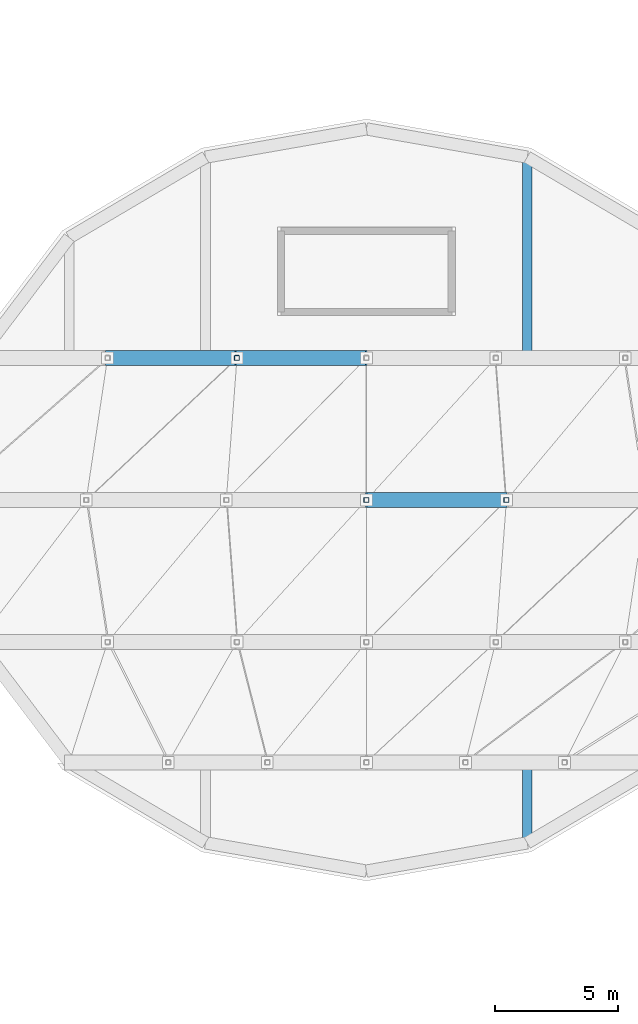
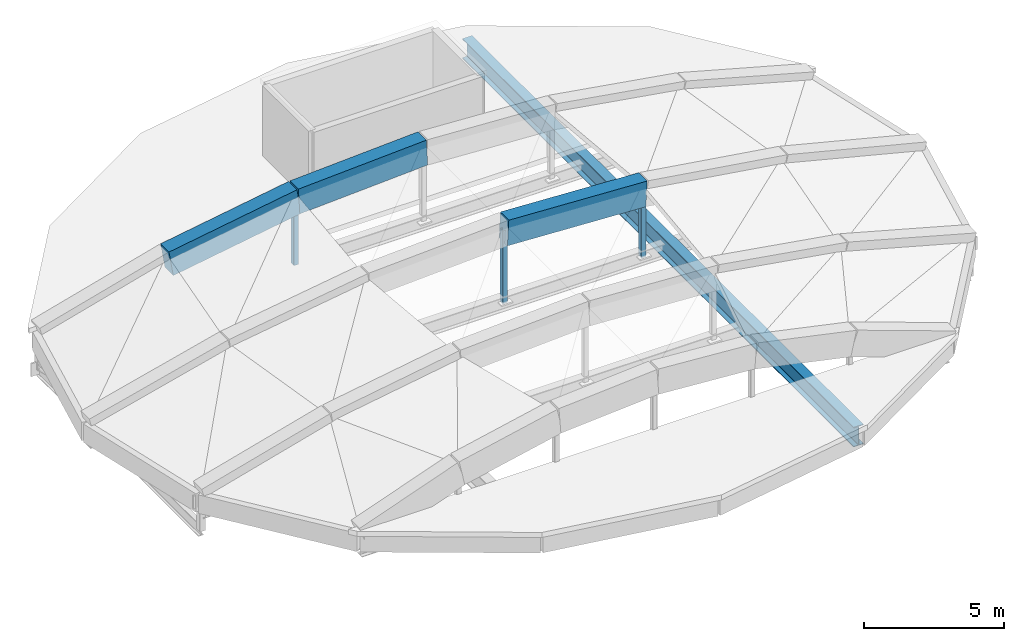
# One storey, part 63 of 88: 4 beams, 3 members.
"""IFC4 building model written with IfcOpenShell, lengths in metres."""

from ifc_helpers import new_model, si_unit, direction, frame, origin, origin_2d, place, context, subcontext, project, spatial, rectangle, hollow_rectangle, i_section, extrude, material, material_profile, profile_set, type_object, element, save


model = new_model("IFC4")

# Units and contexts
model_context = context("Model", 3, precision=1e-05, world=origin(), true_north=direction((0.0, 1.0)))
body_context = subcontext(model_context, "Body", "Model", "MODEL_VIEW")
ifc_project = project(units=[si_unit("LENGTHUNIT", "METRE"), si_unit("AREAUNIT", "SQUARE_METRE"), si_unit("VOLUMEUNIT", "CUBIC_METRE"), si_unit("PLANEANGLEUNIT", "RADIAN"), si_unit("MASSUNIT", "GRAM", prefix="KILO")], contexts=[model_context])

# Site, building, storey
site_placement = place(None, origin())
site = spatial("IfcSite", under=ifc_project, at=site_placement, CompositionType="ELEMENT")
building_placement = place(site_placement, origin())
building = spatial("IfcBuilding", under=site, at=building_placement, Name="Vespera Passage Community Centre", CompositionType="ELEMENT")
storey_placement = place(building_placement, frame((0.0, 0.0, 16.5)))
storey = spatial("IfcBuildingStorey", under=building, at=storey_placement, Name="L04", CompositionType="ELEMENT", Elevation=16.5)

# Beams
ifc_material_1 = material(Name="Concrete f'c 45 MPa", Category="concrete")
ifc_material_profile_1 = material_profile(ifc_material_1, rectangle(XDim=0.60009765625, YDim=1.10009765625, at=origin_2d()), Name="RC600X1100")
ifc_profile_set_1 = profile_set([ifc_material_profile_1], Name="Concrete f'c 45 MPa")
beam_type_1 = type_object("IfcBeamType", Name="BM-AR-600X1100", PredefinedType="USERDEFINED", material=ifc_profile_set_1)
beam_1_placement = place(storey_placement, frame((143.0, 89.5, 2.179931640625), z_axis=(0.998718725959, 0.0, -0.050605399101), x_axis=(0.0, 1.0, 0.0)))
element("IfcBeam", 1, at=beam_1_placement, inside=storey, type_object=beam_type_1, Name="Sports Hall Arched Rib 3.4", ObjectType="ARCH RIB", PredefinedType="USERDEFINED", context=body_context, shape_type="SweptSolid", body=[
    extrude(rectangle(XDim=0.60009765625, YDim=1.10009765625, at=origin_2d()), origin(), (0.0, 0.0, 1.0), 5.707275390625),
])
beam_2_placement = place(storey_placement, frame((132.4677734375, 95.278564453125, 1.0244140625), z_axis=(0.986725707269, 0.0, 0.162395746908), x_axis=(0.0, 1.0, 0.0)))
element("IfcBeam", 2, at=beam_2_placement, inside=storey, type_object=beam_type_1, Name="Sports Hall Arched Rib 4.2", ObjectType="ARCH RIB", PredefinedType="USERDEFINED", context=body_context, shape_type="SweptSolid", body=[
    extrude(rectangle(XDim=0.60009765625, YDim=1.10009765625, at=origin_2d()), origin(), (0.0, 0.0, 1.0), 5.3369140625),
])
beam_3_placement = place(storey_placement, frame((137.73388671875, 95.278564453125, 1.89111328125), z_axis=(0.998499414303, 0.0, 0.054762392542), x_axis=(0.0, 1.0, 0.0)))
element("IfcBeam", 3, at=beam_3_placement, inside=storey, type_object=beam_type_1, Name="Sports Hall Arched Rib 4.3", ObjectType="ARCH RIB", PredefinedType="USERDEFINED", context=body_context, shape_type="SweptSolid", body=[
    extrude(rectangle(XDim=0.60009765625, YDim=1.10009765625, at=origin_2d()), origin(), (0.0, 0.0, 1.0), 5.27392578125),
])
ifc_material_2 = material(Name="Steel ASTM A992 Grade 50", Category="steel")
ifc_material_profile_2 = material_profile(ifc_material_2, i_section(OverallWidth=0.400146484375, OverallDepth=0.86181640625, WebThickness=0.019775390625, FlangeThickness=0.032470703125, FilletRadius=0.017822265625, at=origin_2d()), Name="W33X221")
ifc_profile_set_2 = profile_set([ifc_material_profile_2], Name="Steel ASTM A992 Grade 50")
beam_type_2 = type_object("IfcBeamType", Name="BM-G-W33X221", PredefinedType="BEAM", material=ifc_profile_set_2)
beam_4_placement = place(storey_placement, frame((149.5439453125, 103.45068359375, -0.65087890625), z_axis=(0.0, -1.0, 0.0), x_axis=(1.0, 0.0, 0.0)))
element("IfcBeam", 4, at=beam_4_placement, inside=storey, type_object=beam_type_2, Name="Sports Hall Roof Frame Girder 2", PredefinedType="BEAM", context=body_context, shape_type="SweptSolid", body=[
    extrude(i_section(OverallWidth=0.400146484375, OverallDepth=0.86181640625, WebThickness=0.019775390625, FlangeThickness=0.032470703125, FilletRadius=0.017822265625, at=origin_2d()), origin(), (0.0, 0.0, 1.0), 27.9013671875),
])

# Members
ifc_material_3 = material(Name="Steel ASTM A500 Grade C", Category="steel")
ifc_material_profile_3 = material_profile(ifc_material_3, hollow_rectangle(XDim=0.203125, YDim=0.203125, WallThickness=0.01171875, InnerFilletRadius=0.01171875, OuterFilletRadius=0.023681640625, at=origin_2d()), Name="HSS203X203X12.7")
ifc_profile_set_3 = profile_set([ifc_material_profile_3], Name="Steel ASTM A500 Grade C")
member_type = type_object("IfcMemberType", Name="SS-203", PredefinedType="STRUT", material=ifc_profile_set_3)
member_placement = place(storey_placement, frame((143.0, 89.5, -0.989990234375), z_axis=(0.0, 0.0, 1.0), x_axis=(1.0, 0.0, 0.0)))
element("IfcMember", 5, at=member_placement, inside=storey, type_object=member_type, Name="Sports Hall Arch Rib 3 Bowstring Post 3", PredefinedType="STRUT", context=body_context, shape_type="SweptSolid", body=[
    extrude(hollow_rectangle(XDim=0.203125, YDim=0.203125, WallThickness=0.01171875, InnerFilletRadius=0.01171875, OuterFilletRadius=0.023681640625, at=origin_2d()), origin(), (0.0, 0.0, 1.0), 3.169921875),
])
for number, where, z_axis, x_axis, name in (
    (6, (148.699951171875, 89.5, -0.989990234375), (0.0, 0.0, 1.0), (1.0, 0.0, 0.0), "Sports Hall Arch Rib 3 Bowstring Post 4"),
    (7, (137.73388671875, 95.278564453125, -0.989990234375), (0.0, 0.0, 1.0), (1.0, 0.0, 0.0), "Sports Hall Arch Rib 4 Bowstring Post 2"),
):
    element("IfcMember", number, at=place(storey_placement, frame(where, z_axis=z_axis, x_axis=x_axis)), inside=storey, type_object=member_type, Name=name, PredefinedType="STRUT", context=body_context, shape_type="SweptSolid", body=[
        extrude(hollow_rectangle(XDim=0.203125, YDim=0.203125, WallThickness=0.01171875, InnerFilletRadius=0.01171875, OuterFilletRadius=0.023681640625, at=origin_2d()), origin(), (0.0, 0.0, 1.0), 2.881103515625),
    ])

save(model, "model.ifc")
